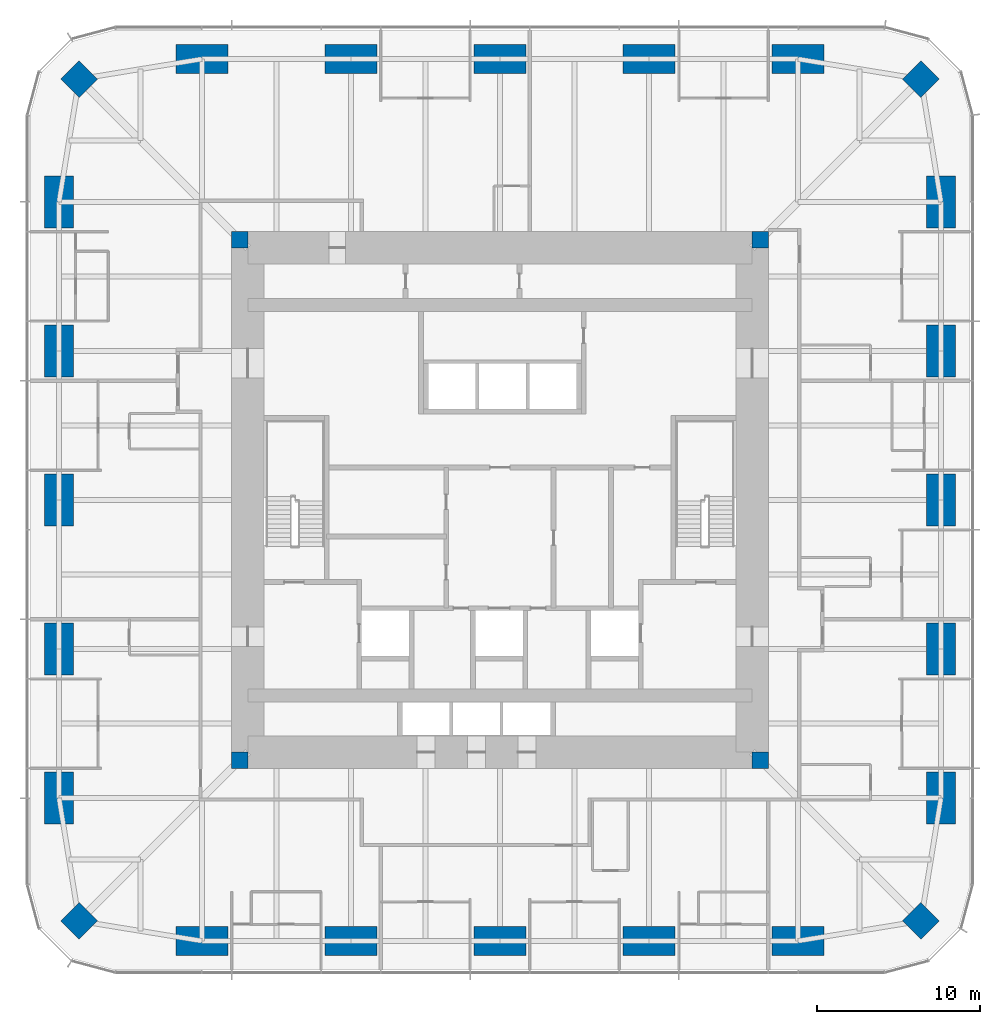
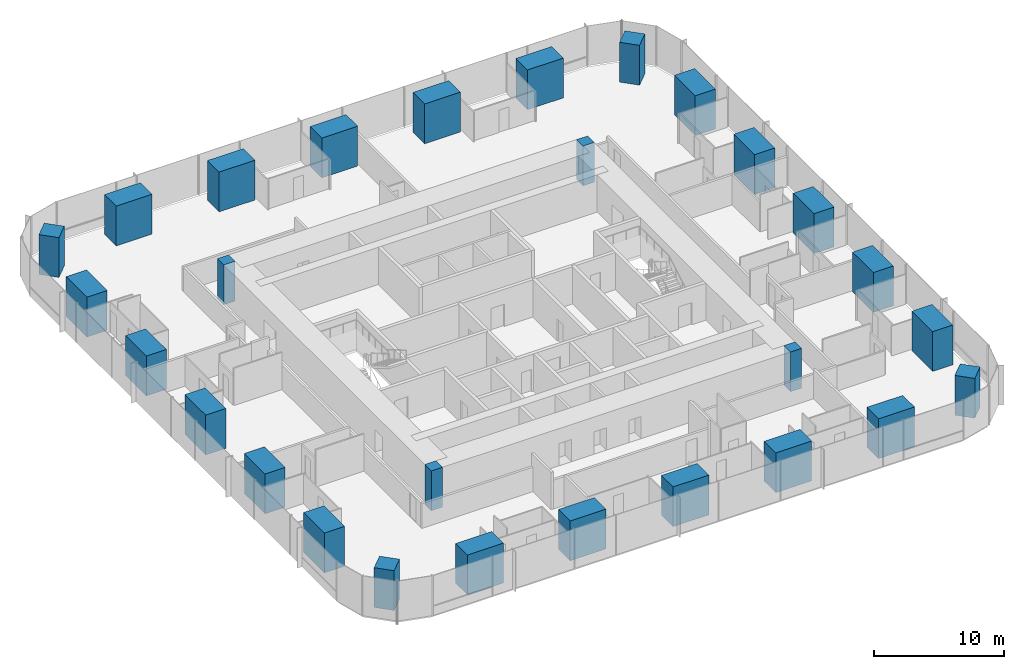
# One storey, part 1 of 13: 28 columns.
"""IFC4 building model written with IfcOpenShell, lengths in metres."""

from ifc_helpers import new_model, si_unit, direction, frame, origin, origin_2d, place, context, subcontext, project, spatial, rectangle, extrude, material, material_profile, profile_set, type_object, element, save


model = new_model("IFC4")

# Units and contexts
model_context = context("Model", 3, precision=1e-05, world=origin(), true_north=direction((0.0, 1.0)))
body_context = subcontext(model_context, "Body", "Model", "MODEL_VIEW")
ifc_project = project(units=[si_unit("LENGTHUNIT", "METRE"), si_unit("AREAUNIT", "SQUARE_METRE"), si_unit("VOLUMEUNIT", "CUBIC_METRE"), si_unit("PLANEANGLEUNIT", "RADIAN"), si_unit("MASSUNIT", "GRAM", prefix="KILO")], contexts=[model_context])

# Site, building, storey
site_placement = place(None, origin())
site = spatial("IfcSite", under=ifc_project, at=site_placement, CompositionType="ELEMENT")
building_placement = place(site_placement, origin())
building = spatial("IfcBuilding", under=site, at=building_placement, Name="Khuree Lantern Residences", CompositionType="ELEMENT")
storey_placement = place(building_placement, frame((0.0, 0.0, 126.0)))
storey = spatial("IfcBuildingStorey", under=building, at=storey_placement, Name="L31", CompositionType="ELEMENT", Elevation=126.0)

# Columns
ifc_material = material(Name="Concrete C70/85", Category="concrete")
ifc_material_profile_1 = material_profile(ifc_material, rectangle(XDim=1.60009765625, YDim=1.60009765625, at=origin_2d()), Name="RC 1600X1600")
ifc_profile_set_1 = profile_set([ifc_material_profile_1], Name="Concrete C70/85")
column_type_1 = type_object("IfcColumnType", Name="CC1600A PERIMETER CORNER COLUMN RC 1600X1600", PredefinedType="COLUMN", material=ifc_profile_set_1)
for number, where, z_axis, x_axis, name in (
    (1, (25.869873046875, 25.869873046875, 0.0), (0.0, 0.0, 1.0), (0.707106781187, -0.707106781187, 0.0), "Perimeter column NE"),
    (2, (25.869873046875, -25.869873046875, 0.0), (0.0, 0.0, 1.0), (0.707106781187, 0.707106781187, 0.0), "Perimeter column SE"),
    (3, (-25.869873046875, -25.869873046875, 0.0), (0.0, 0.0, 1.0), (0.707106781187, -0.707106781187, 0.0), "Perimeter column SW"),
    (4, (-25.869873046875, 25.869873046875, 0.0), (0.0, 0.0, 1.0), (0.707106781187, 0.707106781187, 0.0), "Perimeter column NW"),
):
    element("IfcColumn", number, at=place(storey_placement, frame(where, z_axis=z_axis, x_axis=x_axis)), inside=storey, type_object=column_type_1, Name=name, PredefinedType="COLUMN", context=body_context, shape_type="SweptSolid", body=[
        extrude(rectangle(XDim=1.60009765625, YDim=1.60009765625, at=origin_2d()), origin(), (0.0, 0.0, 1.0), 3.75),
    ])
ifc_material_profile_2 = material_profile(ifc_material, rectangle(XDim=1.0, YDim=1.0, at=origin_2d()), Name="RC 1000X1000")
ifc_profile_set_2 = profile_set([ifc_material_profile_2], Name="Concrete C70/85")
column_type_2 = type_object("IfcColumnType", Name="CP1000-C70 CORE CORNER PIER C70 RC 1000X1000", PredefinedType="COLUMN", material=ifc_profile_set_2)
for number, where, z_axis, x_axis, name in (
    (5, (16.0, 16.0, -0.25), (0.0, 0.0, 1.0), (1.0, 0.0, 0.0), "Core corner pier NE"),
    (6, (-16.0, 16.0, -0.25), (0.0, 0.0, 1.0), (1.0, 0.0, 0.0), "Core corner pier NW"),
    (7, (-16.0, -16.0, -0.25), (0.0, 0.0, 1.0), (1.0, 0.0, 0.0), "Core corner pier SW"),
    (8, (16.0, -16.0, -0.25), (0.0, 0.0, 1.0), (1.0, 0.0, 0.0), "Core corner pier SE"),
):
    element("IfcColumn", number, at=place(storey_placement, frame(where, z_axis=z_axis, x_axis=x_axis)), inside=storey, type_object=column_type_2, Name=name, PredefinedType="COLUMN", context=body_context, shape_type="SweptSolid", body=[
        extrude(rectangle(XDim=1.0, YDim=1.0, at=origin_2d()), origin(), (0.0, 0.0, 1.0), 3.75),
    ])
ifc_material_profile_3 = material_profile(ifc_material, rectangle(XDim=3.199951171875, YDim=1.800048828125, at=origin_2d()), Name="RC 3200X1800")
ifc_profile_set_3 = profile_set([ifc_material_profile_3], Name="Concrete C70/85")
column_type_3 = type_object("IfcColumnType", Name="PC1 PERIMETER COLUMN RC 3200X1800", PredefinedType="COLUMN", material=ifc_profile_set_3)
for number, where, z_axis, x_axis, name in (
    (9, (-18.320068359375, 27.10009765625, 0.0), (0.0, 0.0, 1.0), (1.0, 0.0, 0.0), "Perimeter column N1"),
    (10, (-9.159912109375, 27.10009765625, 0.0), (0.0, 0.0, 1.0), (1.0, 0.0, 0.0), "Perimeter column N2"),
    (11, (0.0, 27.10009765625, 0.0), (0.0, 0.0, 1.0), (1.0, 0.0, 0.0), "Perimeter column N3"),
    (12, (9.159912109375, 27.10009765625, 0.0), (0.0, 0.0, 1.0), (1.0, 0.0, 0.0), "Perimeter column N4"),
    (13, (18.320068359375, 27.10009765625, 0.0), (0.0, 0.0, 1.0), (1.0, 0.0, 0.0), "Perimeter column N5"),
    (14, (27.10009765625, 18.320068359375, 0.0), (0.0, 0.0, 1.0), (0.0, 1.0, 0.0), "Perimeter column E1"),
    (15, (27.10009765625, 9.159912109375, 0.0), (0.0, 0.0, 1.0), (0.0, 1.0, 0.0), "Perimeter column E2"),
    (16, (27.10009765625, 0.0, 0.0), (0.0, 0.0, 1.0), (0.0, 1.0, 0.0), "Perimeter column E3"),
    (17, (27.10009765625, -9.159912109375, 0.0), (0.0, 0.0, 1.0), (0.0, 1.0, 0.0), "Perimeter column E4"),
    (18, (27.10009765625, -18.320068359375, 0.0), (0.0, 0.0, 1.0), (0.0, 1.0, 0.0), "Perimeter column E5"),
    (19, (18.320068359375, -27.10009765625, 0.0), (0.0, 0.0, 1.0), (1.0, 0.0, 0.0), "Perimeter column S1"),
    (20, (9.159912109375, -27.10009765625, 0.0), (0.0, 0.0, 1.0), (1.0, 0.0, 0.0), "Perimeter column S2"),
    (21, (0.0, -27.10009765625, 0.0), (0.0, 0.0, 1.0), (1.0, 0.0, 0.0), "Perimeter column S3"),
    (22, (-9.159912109375, -27.10009765625, 0.0), (0.0, 0.0, 1.0), (1.0, 0.0, 0.0), "Perimeter column S4"),
    (23, (-18.320068359375, -27.10009765625, 0.0), (0.0, 0.0, 1.0), (1.0, 0.0, 0.0), "Perimeter column S5"),
    (24, (-27.10009765625, -18.320068359375, 0.0), (0.0, 0.0, 1.0), (0.0, 1.0, 0.0), "Perimeter column W1"),
    (25, (-27.10009765625, -9.159912109375, 0.0), (0.0, 0.0, 1.0), (0.0, 1.0, 0.0), "Perimeter column W2"),
    (26, (-27.10009765625, 0.0, 0.0), (0.0, 0.0, 1.0), (0.0, 1.0, 0.0), "Perimeter column W3"),
    (27, (-27.10009765625, 9.159912109375, 0.0), (0.0, 0.0, 1.0), (0.0, 1.0, 0.0), "Perimeter column W4"),
    (28, (-27.10009765625, 18.320068359375, 0.0), (0.0, 0.0, 1.0), (0.0, 1.0, 0.0), "Perimeter column W5"),
):
    element("IfcColumn", number, at=place(storey_placement, frame(where, z_axis=z_axis, x_axis=x_axis)), inside=storey, type_object=column_type_3, Name=name, PredefinedType="COLUMN", context=body_context, shape_type="SweptSolid", body=[
        extrude(rectangle(XDim=3.199951171875, YDim=1.800048828125, at=origin_2d()), origin(), (0.0, 0.0, 1.0), 3.75),
    ])

save(model, "model.ifc")
